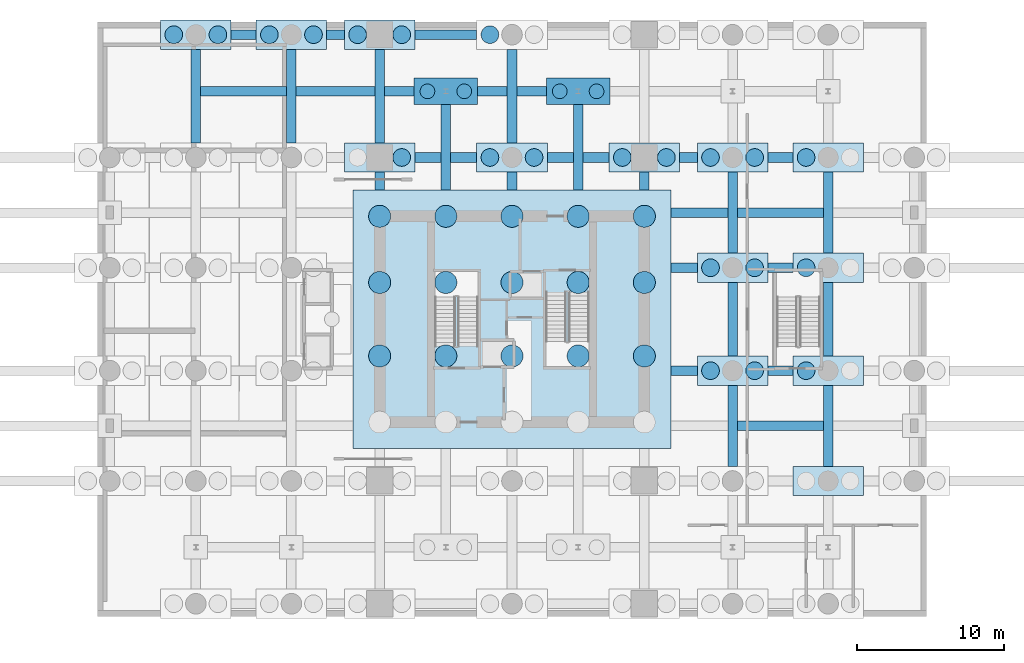
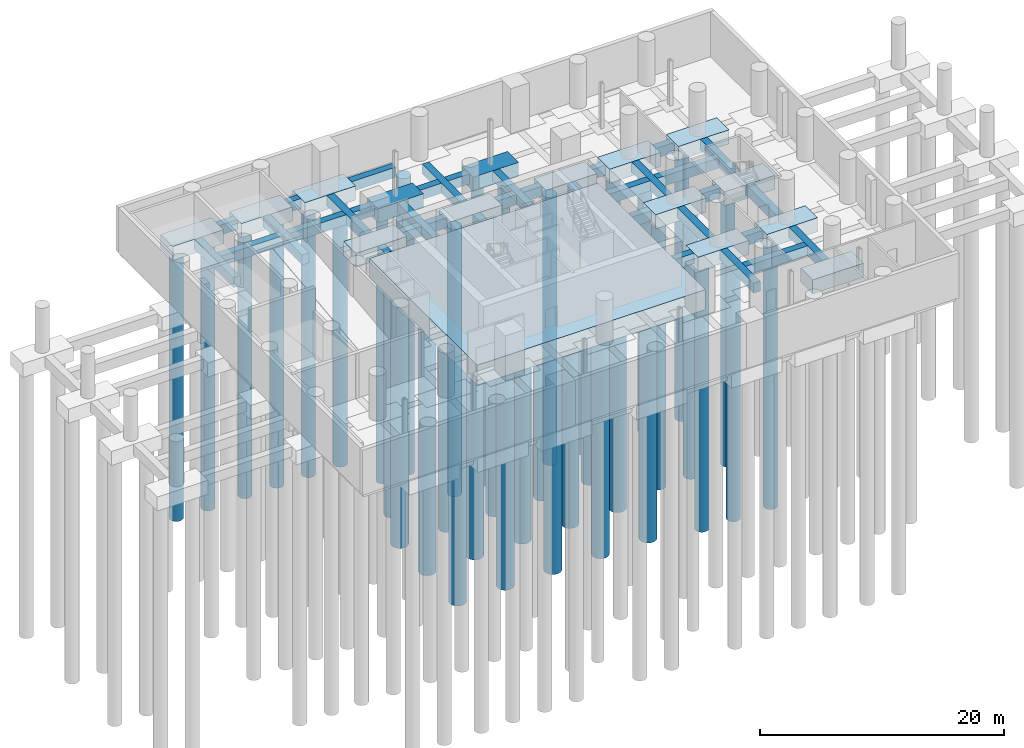
# One storey, part 3 of 12: 52 footings, 40 piles.
"""IFC4 building model written with IfcOpenShell, lengths in metres."""

from ifc_helpers import new_model, si_unit, direction, frame, origin, origin_2d, place, context, subcontext, project, spatial, polyline, circle, outline, extrude, material, layer, layer_set, material_profile, profile_set, type_object, element, save


model = new_model("IFC4")

# Units and contexts
model_context = context("Model", 3, precision=1e-05, world=origin(), true_north=direction((0.0, 1.0)))
body_context = subcontext(model_context, "Body", "Model", "MODEL_VIEW")
ifc_project = project(units=[si_unit("LENGTHUNIT", "METRE"), si_unit("AREAUNIT", "SQUARE_METRE"), si_unit("VOLUMEUNIT", "CUBIC_METRE"), si_unit("PLANEANGLEUNIT", "RADIAN"), si_unit("MASSUNIT", "GRAM", prefix="KILO")], contexts=[model_context])

# Site, building, storey
site_placement = place(None, origin())
site = spatial("IfcSite", under=ifc_project, at=site_placement, CompositionType="ELEMENT")
building_placement = place(site_placement, origin())
building = spatial("IfcBuilding", under=site, at=building_placement, Name="Veldorim Arch Residences", CompositionType="ELEMENT")
storey_placement = place(building_placement, frame((0.0, 0.0, -9.0)))
storey = spatial("IfcBuildingStorey", under=building, at=storey_placement, Name="B2", CompositionType="ELEMENT", Elevation=-9.0)

# Piles
ifc_material_1 = material(Name="Concrete C50/60", Category="concrete")
ifc_material_profile_1 = material_profile(ifc_material_1, circle(Radius=0.5, at=origin_2d()), Name="PILE_1000")
ifc_profile_set_1 = profile_set([ifc_material_profile_1], Name="Concrete C50/60")
pile_type_1 = type_object("IfcPileType", Name="Bored Rock-Socketed Pile 1000", PredefinedType="BORED", material=ifc_profile_set_1)
for number, where, z_axis, x_axis, name in (
    (1, (26.25, 39.5, -1.25), (0.0, 0.0, -1.0), (1.0, 0.0, 0.0), "Infill cap 03 bored pile W"),
    (2, (28.75, 39.5, -1.25), (0.0, 0.0, -1.0), (1.0, 0.0, 0.0), "Infill cap 03 bored pile E"),
    (3, (35.25, 39.5, -1.25), (0.0, 0.0, -1.0), (1.0, 0.0, 0.0), "Infill cap 04 bored pile W"),
    (4, (37.75, 39.5, -1.25), (0.0, 0.0, -1.0), (1.0, 0.0, 0.0), "Infill cap 04 bored pile E"),
):
    element("IfcPile", number, at=place(storey_placement, frame(where, z_axis=z_axis, x_axis=x_axis)), inside=storey, type_object=pile_type_1, Name=name, PredefinedType="BORED", context=body_context, shape_type="SweptSolid", body=[
        extrude(circle(Radius=0.5, at=origin_2d()), origin(), (0.0, 0.0, 1.0), 26.75),
    ])
ifc_material_2 = material(Name="Concrete C50/60", Category="concrete")
ifc_material_profile_2 = material_profile(ifc_material_2, circle(Radius=0.60009765625, at=origin_2d()), Name="PILE_1200")
ifc_profile_set_2 = profile_set([ifc_material_profile_2], Name="Concrete C50/60")
pile_type_2 = type_object("IfcPileType", Name="Bored Rock-Socketed Pile 1200", PredefinedType="BORED", material=ifc_profile_set_2)
for number, where, z_axis, x_axis, name in (
    (5, (9.0, 43.35009765625, -1.25), (0.0, 0.0, -1.0), (1.0, 0.0, 0.0), "Cap 10 bored pile W"),
    (6, (12.0, 43.35009765625, -1.25), (0.0, 0.0, -1.0), (1.0, 0.0, 0.0), "Cap 10 bored pile E"),
    (7, (15.5, 43.35009765625, -1.25), (0.0, 0.0, -1.0), (1.0, 0.0, 0.0), "Cap 16 bored pile W"),
    (8, (18.5, 43.35009765625, -1.25), (0.0, 0.0, -1.0), (1.0, 0.0, 0.0), "Cap 16 bored pile E"),
    (9, (45.5, 20.5, -1.25), (0.0, 0.0, -1.0), (1.0, 0.0, 0.0), "Cap 19 bored pile W"),
    (10, (48.5, 20.5, -1.25), (0.0, 0.0, -1.0), (1.0, 0.0, 0.0), "Cap 19 bored pile E"),
    (11, (45.5, 27.5, -1.25), (0.0, 0.0, -1.0), (1.0, 0.0, 0.0), "Cap 20 bored pile W"),
    (12, (48.5, 27.5, -1.25), (0.0, 0.0, -1.0), (1.0, 0.0, 0.0), "Cap 20 bored pile E"),
    (13, (45.5, 35.0, -1.25), (0.0, 0.0, -1.0), (1.0, 0.0, 0.0), "Cap 21 bored pile W"),
    (14, (48.5, 35.0, -1.25), (0.0, 0.0, -1.0), (1.0, 0.0, 0.0), "Cap 21 bored pile E"),
    (15, (52.0, 20.5, -1.25), (0.0, 0.0, -1.0), (1.0, 0.0, 0.0), "Cap 25 bored pile W"),
    (16, (52.0, 27.5, -1.25), (0.0, 0.0, -1.0), (1.0, 0.0, 0.0), "Cap 26 bored pile W"),
    (17, (52.0, 35.0, -1.25), (0.0, 0.0, -1.0), (1.0, 0.0, 0.0), "Cap 27 bored pile W"),
    (18, (24.5, 35.0, -1.25), (0.0, 0.0, -1.0), (1.0, 0.0, 0.0), "Cap 35 bored pile E"),
    (19, (21.5, 43.35009765625, -1.25), (0.0, 0.0, -1.0), (1.0, 0.0, 0.0), "Cap 36 bored pile W"),
    (20, (24.5, 43.35009765625, -1.25), (0.0, 0.0, -1.0), (1.0, 0.0, 0.0), "Cap 36 bored pile E"),
    (21, (30.5, 35.0, -1.25), (0.0, 0.0, -1.0), (1.0, 0.0, 0.0), "Cap 39 bored pile W"),
    (22, (33.5, 35.0, -1.25), (0.0, 0.0, -1.0), (1.0, 0.0, 0.0), "Cap 39 bored pile E"),
    (23, (30.5, 43.35009765625, -1.25), (0.0, 0.0, -1.0), (1.0, 0.0, 0.0), "Cap 40 bored pile W"),
    (24, (39.5, 35.0, -1.25), (0.0, 0.0, -1.0), (1.0, 0.0, 0.0), "Cap 43 bored pile W"),
    (25, (42.5, 35.0, -1.25), (0.0, 0.0, -1.0), (1.0, 0.0, 0.0), "Cap 43 bored pile E"),
):
    element("IfcPile", number, at=place(storey_placement, frame(where, z_axis=z_axis, x_axis=x_axis)), inside=storey, type_object=pile_type_2, Name=name, PredefinedType="BORED", context=body_context, shape_type="SweptSolid", body=[
        extrude(circle(Radius=0.60009765625, at=origin_2d()), origin(), (0.0, 0.0, 1.0), 26.75),
    ])
ifc_material_3 = material(Name="Concrete C50/60", Category="concrete")
ifc_material_profile_3 = material_profile(ifc_material_3, circle(Radius=0.75, at=origin_2d()), Name="PILE_1500")
ifc_profile_set_3 = profile_set([ifc_material_profile_3], Name="Concrete C50/60")
pile_type_3 = type_object("IfcPileType", Name="Bored Rock-Socketed Pile 1500", PredefinedType="BORED", material=ifc_profile_set_3)
for number, where, z_axis, x_axis, name in (
    (26, (23.0, 21.5, -1.85009765625), (0.0, 0.0, -1.0), (1.0, 0.0, 0.0), "Core raft bored pile 02"),
    (27, (23.0, 26.5, -1.85009765625), (0.0, 0.0, -1.0), (1.0, 0.0, 0.0), "Core raft bored pile 03"),
    (28, (23.0, 31.0, -1.85009765625), (0.0, 0.0, -1.0), (1.0, 0.0, 0.0), "Core raft bored pile 04"),
    (29, (27.5, 21.5, -1.85009765625), (0.0, 0.0, -1.0), (1.0, 0.0, 0.0), "Core raft bored pile 06"),
    (30, (27.5, 26.5, -1.85009765625), (0.0, 0.0, -1.0), (1.0, 0.0, 0.0), "Core raft bored pile 07"),
    (31, (27.5, 31.0, -1.85009765625), (0.0, 0.0, -1.0), (1.0, 0.0, 0.0), "Core raft bored pile 08"),
    (32, (32.0, 21.5, -1.85009765625), (0.0, 0.0, -1.0), (1.0, 0.0, 0.0), "Core raft bored pile 10"),
    (33, (32.0, 26.5, -1.85009765625), (0.0, 0.0, -1.0), (1.0, 0.0, 0.0), "Core raft bored pile 11"),
    (34, (32.0, 31.0, -1.85009765625), (0.0, 0.0, -1.0), (1.0, 0.0, 0.0), "Core raft bored pile 12"),
    (35, (36.5, 21.5, -1.85009765625), (0.0, 0.0, -1.0), (1.0, 0.0, 0.0), "Core raft bored pile 14"),
    (36, (36.5, 26.5, -1.85009765625), (0.0, 0.0, -1.0), (1.0, 0.0, 0.0), "Core raft bored pile 15"),
    (37, (36.5, 31.0, -1.85009765625), (0.0, 0.0, -1.0), (1.0, 0.0, 0.0), "Core raft bored pile 16"),
    (38, (41.0, 21.5, -1.85009765625), (0.0, 0.0, -1.0), (1.0, 0.0, 0.0), "Core raft bored pile 18"),
    (39, (41.0, 26.5, -1.85009765625), (0.0, 0.0, -1.0), (1.0, 0.0, 0.0), "Core raft bored pile 19"),
    (40, (41.0, 31.0, -1.85009765625), (0.0, 0.0, -1.0), (1.0, 0.0, 0.0), "Core raft bored pile 20"),
):
    element("IfcPile", number, at=place(storey_placement, frame(where, z_axis=z_axis, x_axis=x_axis)), inside=storey, type_object=pile_type_3, Name=name, PredefinedType="BORED", context=body_context, shape_type="SweptSolid", body=[
        extrude(circle(Radius=0.75, at=origin_2d()), origin(), (0.0, 0.0, 1.0), 26.14990234375),
    ])

# Footings
ifc_material_4 = material(Name="Concrete C50/60", Category="concrete")
ifc_layer_1 = layer(ifc_material_4, 1.0, Name="Continuous Ground Tie Beam 650x1000")
ifc_layer_set_1 = layer_set([ifc_layer_1], Name="Concrete C50/60")
footing_type_1 = type_object("IfcFootingType", Name="Continuous Ground Tie Beam 650x1000", PredefinedType="FOOTING_BEAM", material=ifc_layer_set_1)
footing_1_placement = place(storey_placement, frame((0.0, 0.0, -1.0)))
element("IfcFooting", 41, at=footing_1_placement, inside=storey, type_object=footing_type_1, Name="North-south ground tie beam 014", PredefinedType="FOOTING_BEAM", context=body_context, shape_type="SweptSolid", body=[
    extrude(outline(polyline([(10.175048828125, 36.0), (10.824951171875, 36.0), (10.824951171875, 42.35009765625), (10.175048828125, 42.35009765625), (10.175048828125, 36.0)])), origin(), (0.0, 0.0, 1.0), 1.0),
])
footing_2_placement = place(storey_placement, frame((0.0, 0.0, -1.0)))
element("IfcFooting", 42, at=footing_2_placement, inside=storey, type_object=footing_type_1, Name="North-south ground tie beam 020", PredefinedType="FOOTING_BEAM", context=body_context, shape_type="SweptSolid", body=[
    extrude(outline(polyline([(16.675048828125, 36.0), (17.324951171875, 36.0), (17.324951171875, 42.35009765625), (16.675048828125, 42.35009765625), (16.675048828125, 36.0)])), origin(), (0.0, 0.0, 1.0), 1.0),
])
footing_3_placement = place(storey_placement, frame((0.0, 0.0, -1.0)))
element("IfcFooting", 43, at=footing_3_placement, inside=storey, type_object=footing_type_1, Name="North-south ground tie beam 023", PredefinedType="FOOTING_BEAM", context=body_context, shape_type="SweptSolid", body=[
    extrude(outline(polyline([(22.675048828125, 32.800048828125), (23.324951171875, 32.800048828125), (23.324951171875, 34.0), (22.675048828125, 34.0), (22.675048828125, 32.800048828125)])), origin(), (0.0, 0.0, 1.0), 1.0),
])
footing_4_placement = place(storey_placement, frame((0.0, 0.0, -1.0)))
element("IfcFooting", 44, at=footing_4_placement, inside=storey, type_object=footing_type_1, Name="North-south ground tie beam 024", PredefinedType="FOOTING_BEAM", context=body_context, shape_type="SweptSolid", body=[
    extrude(outline(polyline([(22.675048828125, 36.0), (23.324951171875, 36.0), (23.324951171875, 42.35009765625), (22.675048828125, 42.35009765625), (22.675048828125, 36.0)])), origin(), (0.0, 0.0, 1.0), 1.0),
])
footing_5_placement = place(storey_placement, frame((0.0, 0.0, -1.0)))
element("IfcFooting", 45, at=footing_5_placement, inside=storey, type_object=footing_type_1, Name="North-south ground tie beam 026", PredefinedType="FOOTING_BEAM", context=body_context, shape_type="SweptSolid", body=[
    extrude(outline(polyline([(27.175048828125, 32.800048828125), (27.824951171875, 32.800048828125), (27.824951171875, 38.60009765625), (27.175048828125, 38.60009765625), (27.175048828125, 32.800048828125)])), origin(), (0.0, 0.0, 1.0), 1.0),
])
footing_6_placement = place(storey_placement, frame((0.0, 0.0, -1.0)))
element("IfcFooting", 46, at=footing_6_placement, inside=storey, type_object=footing_type_1, Name="North-south ground tie beam 029", PredefinedType="FOOTING_BEAM", context=body_context, shape_type="SweptSolid", body=[
    extrude(outline(polyline([(31.675048828125, 32.800048828125), (32.324951171875, 32.800048828125), (32.324951171875, 34.0), (31.675048828125, 34.0), (31.675048828125, 32.800048828125)])), origin(), (0.0, 0.0, 1.0), 1.0),
])
footing_7_placement = place(storey_placement, frame((0.0, 0.0, -1.0)))
element("IfcFooting", 47, at=footing_7_placement, inside=storey, type_object=footing_type_1, Name="North-south ground tie beam 030", PredefinedType="FOOTING_BEAM", context=body_context, shape_type="SweptSolid", body=[
    extrude(outline(polyline([(31.675048828125, 36.0), (32.324951171875, 36.0), (32.324951171875, 42.35009765625), (31.675048828125, 42.35009765625), (31.675048828125, 36.0)])), origin(), (0.0, 0.0, 1.0), 1.0),
])
footing_8_placement = place(storey_placement, frame((0.0, 0.0, -1.0)))
element("IfcFooting", 48, at=footing_8_placement, inside=storey, type_object=footing_type_1, Name="North-south ground tie beam 032", PredefinedType="FOOTING_BEAM", context=body_context, shape_type="SweptSolid", body=[
    extrude(outline(polyline([(36.175048828125, 32.800048828125), (36.824951171875, 32.800048828125), (36.824951171875, 38.60009765625), (36.175048828125, 38.60009765625), (36.175048828125, 32.800048828125)])), origin(), (0.0, 0.0, 1.0), 1.0),
])
footing_9_placement = place(storey_placement, frame((0.0, 0.0, -1.0)))
element("IfcFooting", 49, at=footing_9_placement, inside=storey, type_object=footing_type_1, Name="North-south ground tie beam 035", PredefinedType="FOOTING_BEAM", context=body_context, shape_type="SweptSolid", body=[
    extrude(outline(polyline([(40.675048828125, 32.800048828125), (41.324951171875, 32.800048828125), (41.324951171875, 34.0), (40.675048828125, 34.0), (40.675048828125, 32.800048828125)])), origin(), (0.0, 0.0, 1.0), 1.0),
])
footing_10_placement = place(storey_placement, frame((0.0, 0.0, -1.0)))
element("IfcFooting", 50, at=footing_10_placement, inside=storey, type_object=footing_type_1, Name="North-south ground tie beam 039", PredefinedType="FOOTING_BEAM", context=body_context, shape_type="SweptSolid", body=[
    extrude(outline(polyline([(46.675048828125, 14.0), (47.324951171875, 14.0), (47.324951171875, 19.5), (46.675048828125, 19.5), (46.675048828125, 14.0)])), origin(), (0.0, 0.0, 1.0), 1.0),
])
footing_11_placement = place(storey_placement, frame((0.0, 0.0, -1.0)))
element("IfcFooting", 51, at=footing_11_placement, inside=storey, type_object=footing_type_1, Name="North-south ground tie beam 040", PredefinedType="FOOTING_BEAM", context=body_context, shape_type="SweptSolid", body=[
    extrude(outline(polyline([(46.675048828125, 21.5), (47.324951171875, 21.5), (47.324951171875, 26.5), (46.675048828125, 26.5), (46.675048828125, 21.5)])), origin(), (0.0, 0.0, 1.0), 1.0),
])
footing_12_placement = place(storey_placement, frame((0.0, 0.0, -1.0)))
element("IfcFooting", 52, at=footing_12_placement, inside=storey, type_object=footing_type_1, Name="North-south ground tie beam 041", PredefinedType="FOOTING_BEAM", context=body_context, shape_type="SweptSolid", body=[
    extrude(outline(polyline([(46.675048828125, 28.5), (47.324951171875, 28.5), (47.324951171875, 34.0), (46.675048828125, 34.0), (46.675048828125, 28.5)])), origin(), (0.0, 0.0, 1.0), 1.0),
])
footing_13_placement = place(storey_placement, frame((0.0, 0.0, -1.0)))
element("IfcFooting", 53, at=footing_13_placement, inside=storey, type_object=footing_type_1, Name="North-south ground tie beam 046", PredefinedType="FOOTING_BEAM", context=body_context, shape_type="SweptSolid", body=[
    extrude(outline(polyline([(53.175048828125, 14.0), (53.824951171875, 14.0), (53.824951171875, 19.5), (53.175048828125, 19.5), (53.175048828125, 14.0)])), origin(), (0.0, 0.0, 1.0), 1.0),
])
footing_14_placement = place(storey_placement, frame((0.0, 0.0, -1.0)))
element("IfcFooting", 54, at=footing_14_placement, inside=storey, type_object=footing_type_1, Name="North-south ground tie beam 047", PredefinedType="FOOTING_BEAM", context=body_context, shape_type="SweptSolid", body=[
    extrude(outline(polyline([(53.175048828125, 21.5), (53.824951171875, 21.5), (53.824951171875, 26.5), (53.175048828125, 26.5), (53.175048828125, 21.5)])), origin(), (0.0, 0.0, 1.0), 1.0),
])
footing_15_placement = place(storey_placement, frame((0.0, 0.0, -1.0)))
element("IfcFooting", 55, at=footing_15_placement, inside=storey, type_object=footing_type_1, Name="North-south ground tie beam 048", PredefinedType="FOOTING_BEAM", context=body_context, shape_type="SweptSolid", body=[
    extrude(outline(polyline([(53.175048828125, 28.5), (53.824951171875, 28.5), (53.824951171875, 34.0), (53.175048828125, 34.0), (53.175048828125, 28.5)])), origin(), (0.0, 0.0, 1.0), 1.0),
])
footing_16_placement = place(storey_placement, frame((0.0, 0.0, -1.0)))
element("IfcFooting", 56, at=footing_16_placement, inside=storey, type_object=footing_type_1, Name="East-west ground tie beam 090", PredefinedType="FOOTING_BEAM", context=body_context, shape_type="SweptSolid", body=[
    extrude(outline(polyline([(47.324951171875, 16.425048828125), (53.175048828125, 16.425048828125), (53.175048828125, 17.074951171875), (47.324951171875, 17.074951171875), (47.324951171875, 16.425048828125)])), origin(), (0.0, 0.0, 1.0), 1.0),
])
footing_17_placement = place(storey_placement, frame((0.0, 0.0, -1.0)))
element("IfcFooting", 57, at=footing_17_placement, inside=storey, type_object=footing_type_1, Name="East-west ground tie beam 097", PredefinedType="FOOTING_BEAM", context=body_context, shape_type="SweptSolid", body=[
    extrude(outline(polyline([(42.800048828125, 20.175048828125), (44.60009765625, 20.175048828125), (44.60009765625, 20.824951171875), (42.800048828125, 20.824951171875), (42.800048828125, 20.175048828125)])), origin(), (0.0, 0.0, 1.0), 1.0),
])
footing_18_placement = place(storey_placement, frame((0.0, 0.0, -1.0)))
element("IfcFooting", 58, at=footing_18_placement, inside=storey, type_object=footing_type_1, Name="East-west ground tie beam 098", PredefinedType="FOOTING_BEAM", context=body_context, shape_type="SweptSolid", body=[
    extrude(outline(polyline([(49.39990234375, 20.175048828125), (51.10009765625, 20.175048828125), (51.10009765625, 20.824951171875), (49.39990234375, 20.824951171875), (49.39990234375, 20.175048828125)])), origin(), (0.0, 0.0, 1.0), 1.0),
])
footing_19_placement = place(storey_placement, frame((0.0, 0.0, -1.0)))
element("IfcFooting", 59, at=footing_19_placement, inside=storey, type_object=footing_type_1, Name="East-west ground tie beam 105", PredefinedType="FOOTING_BEAM", context=body_context, shape_type="SweptSolid", body=[
    extrude(outline(polyline([(42.800048828125, 27.175048828125), (44.60009765625, 27.175048828125), (44.60009765625, 27.824951171875), (42.800048828125, 27.824951171875), (42.800048828125, 27.175048828125)])), origin(), (0.0, 0.0, 1.0), 1.0),
])
footing_20_placement = place(storey_placement, frame((0.0, 0.0, -1.0)))
element("IfcFooting", 60, at=footing_20_placement, inside=storey, type_object=footing_type_1, Name="East-west ground tie beam 106", PredefinedType="FOOTING_BEAM", context=body_context, shape_type="SweptSolid", body=[
    extrude(outline(polyline([(49.39990234375, 27.175048828125), (51.10009765625, 27.175048828125), (51.10009765625, 27.824951171875), (49.39990234375, 27.824951171875), (49.39990234375, 27.175048828125)])), origin(), (0.0, 0.0, 1.0), 1.0),
])
footing_21_placement = place(storey_placement, frame((0.0, 0.0, -1.0)))
element("IfcFooting", 61, at=footing_21_placement, inside=storey, type_object=footing_type_1, Name="East-west ground tie beam 113", PredefinedType="FOOTING_BEAM", context=body_context, shape_type="SweptSolid", body=[
    extrude(outline(polyline([(42.800048828125, 30.925048828125), (46.675048828125, 30.925048828125), (46.675048828125, 31.574951171875), (42.800048828125, 31.574951171875), (42.800048828125, 30.925048828125)])), origin(), (0.0, 0.0, 1.0), 1.0),
])
footing_22_placement = place(storey_placement, frame((0.0, 0.0, -1.0)))
element("IfcFooting", 62, at=footing_22_placement, inside=storey, type_object=footing_type_1, Name="East-west ground tie beam 114", PredefinedType="FOOTING_BEAM", context=body_context, shape_type="SweptSolid", body=[
    extrude(outline(polyline([(47.324951171875, 30.925048828125), (53.175048828125, 30.925048828125), (53.175048828125, 31.574951171875), (47.324951171875, 31.574951171875), (47.324951171875, 30.925048828125)])), origin(), (0.0, 0.0, 1.0), 1.0),
])
footing_23_placement = place(storey_placement, frame((0.0, 0.0, -1.0)))
element("IfcFooting", 63, at=footing_23_placement, inside=storey, type_object=footing_type_1, Name="East-west ground tie beam 121", PredefinedType="FOOTING_BEAM", context=body_context, shape_type="SweptSolid", body=[
    extrude(outline(polyline([(25.39990234375, 34.675048828125), (27.175048828125, 34.675048828125), (27.175048828125, 35.324951171875), (25.39990234375, 35.324951171875), (25.39990234375, 34.675048828125)])), origin(), (0.0, 0.0, 1.0), 1.0),
])
footing_24_placement = place(storey_placement, frame((0.0, 0.0, -1.0)))
element("IfcFooting", 64, at=footing_24_placement, inside=storey, type_object=footing_type_1, Name="East-west ground tie beam 122", PredefinedType="FOOTING_BEAM", context=body_context, shape_type="SweptSolid", body=[
    extrude(outline(polyline([(27.824951171875, 34.675048828125), (29.60009765625, 34.675048828125), (29.60009765625, 35.324951171875), (27.824951171875, 35.324951171875), (27.824951171875, 34.675048828125)])), origin(), (0.0, 0.0, 1.0), 1.0),
])
footing_25_placement = place(storey_placement, frame((0.0, 0.0, -1.0)))
element("IfcFooting", 65, at=footing_25_placement, inside=storey, type_object=footing_type_1, Name="East-west ground tie beam 123", PredefinedType="FOOTING_BEAM", context=body_context, shape_type="SweptSolid", body=[
    extrude(outline(polyline([(34.39990234375, 34.675048828125), (36.175048828125, 34.675048828125), (36.175048828125, 35.324951171875), (34.39990234375, 35.324951171875), (34.39990234375, 34.675048828125)])), origin(), (0.0, 0.0, 1.0), 1.0),
])
footing_26_placement = place(storey_placement, frame((0.0, 0.0, -1.0)))
element("IfcFooting", 66, at=footing_26_placement, inside=storey, type_object=footing_type_1, Name="East-west ground tie beam 124", PredefinedType="FOOTING_BEAM", context=body_context, shape_type="SweptSolid", body=[
    extrude(outline(polyline([(36.824951171875, 34.675048828125), (38.60009765625, 34.675048828125), (38.60009765625, 35.324951171875), (36.824951171875, 35.324951171875), (36.824951171875, 34.675048828125)])), origin(), (0.0, 0.0, 1.0), 1.0),
])
footing_27_placement = place(storey_placement, frame((0.0, 0.0, -1.0)))
element("IfcFooting", 67, at=footing_27_placement, inside=storey, type_object=footing_type_1, Name="East-west ground tie beam 125", PredefinedType="FOOTING_BEAM", context=body_context, shape_type="SweptSolid", body=[
    extrude(outline(polyline([(43.39990234375, 34.675048828125), (44.60009765625, 34.675048828125), (44.60009765625, 35.324951171875), (43.39990234375, 35.324951171875), (43.39990234375, 34.675048828125)])), origin(), (0.0, 0.0, 1.0), 1.0),
])
footing_28_placement = place(storey_placement, frame((0.0, 0.0, -1.0)))
element("IfcFooting", 68, at=footing_28_placement, inside=storey, type_object=footing_type_1, Name="East-west ground tie beam 126", PredefinedType="FOOTING_BEAM", context=body_context, shape_type="SweptSolid", body=[
    extrude(outline(polyline([(49.39990234375, 34.675048828125), (51.10009765625, 34.675048828125), (51.10009765625, 35.324951171875), (49.39990234375, 35.324951171875), (49.39990234375, 34.675048828125)])), origin(), (0.0, 0.0, 1.0), 1.0),
])
footing_29_placement = place(storey_placement, frame((0.0, 0.0, -1.0)))
element("IfcFooting", 69, at=footing_29_placement, inside=storey, type_object=footing_type_1, Name="East-west ground tie beam 129", PredefinedType="FOOTING_BEAM", context=body_context, shape_type="SweptSolid", body=[
    extrude(outline(polyline([(10.824951171875, 39.175048828125), (16.675048828125, 39.175048828125), (16.675048828125, 39.824951171875), (10.824951171875, 39.824951171875), (10.824951171875, 39.175048828125)])), origin(), (0.0, 0.0, 1.0), 1.0),
])
footing_30_placement = place(storey_placement, frame((0.0, 0.0, -1.0)))
element("IfcFooting", 70, at=footing_30_placement, inside=storey, type_object=footing_type_1, Name="East-west ground tie beam 130", PredefinedType="FOOTING_BEAM", context=body_context, shape_type="SweptSolid", body=[
    extrude(outline(polyline([(17.324951171875, 39.175048828125), (22.675048828125, 39.175048828125), (22.675048828125, 39.824951171875), (17.324951171875, 39.824951171875), (17.324951171875, 39.175048828125)])), origin(), (0.0, 0.0, 1.0), 1.0),
])
footing_31_placement = place(storey_placement, frame((0.0, 0.0, -1.0)))
element("IfcFooting", 71, at=footing_31_placement, inside=storey, type_object=footing_type_1, Name="East-west ground tie beam 131", PredefinedType="FOOTING_BEAM", context=body_context, shape_type="SweptSolid", body=[
    extrude(outline(polyline([(23.324951171875, 39.175048828125), (25.35009765625, 39.175048828125), (25.35009765625, 39.824951171875), (23.324951171875, 39.824951171875), (23.324951171875, 39.175048828125)])), origin(), (0.0, 0.0, 1.0), 1.0),
])
footing_32_placement = place(storey_placement, frame((0.0, 0.0, -1.0)))
element("IfcFooting", 72, at=footing_32_placement, inside=storey, type_object=footing_type_1, Name="East-west ground tie beam 132", PredefinedType="FOOTING_BEAM", context=body_context, shape_type="SweptSolid", body=[
    extrude(outline(polyline([(29.64990234375, 39.175048828125), (31.675048828125, 39.175048828125), (31.675048828125, 39.824951171875), (29.64990234375, 39.824951171875), (29.64990234375, 39.175048828125)])), origin(), (0.0, 0.0, 1.0), 1.0),
])
footing_33_placement = place(storey_placement, frame((0.0, 0.0, -1.0)))
element("IfcFooting", 73, at=footing_33_placement, inside=storey, type_object=footing_type_1, Name="East-west ground tie beam 133", PredefinedType="FOOTING_BEAM", context=body_context, shape_type="SweptSolid", body=[
    extrude(outline(polyline([(32.324951171875, 39.175048828125), (34.35009765625, 39.175048828125), (34.35009765625, 39.824951171875), (32.324951171875, 39.824951171875), (32.324951171875, 39.175048828125)])), origin(), (0.0, 0.0, 1.0), 1.0),
])
footing_34_placement = place(storey_placement, frame((0.0, 0.0, -1.0)))
element("IfcFooting", 74, at=footing_34_placement, inside=storey, type_object=footing_type_1, Name="East-west ground tie beam 137", PredefinedType="FOOTING_BEAM", context=body_context, shape_type="SweptSolid", body=[
    extrude(outline(polyline([(12.89990234375, 43.02490234375), (14.60009765625, 43.02490234375), (14.60009765625, 43.675048828125), (12.89990234375, 43.675048828125), (12.89990234375, 43.02490234375)])), origin(), (0.0, 0.0, 1.0), 1.0),
])
footing_35_placement = place(storey_placement, frame((0.0, 0.0, -1.0)))
element("IfcFooting", 75, at=footing_35_placement, inside=storey, type_object=footing_type_1, Name="East-west ground tie beam 138", PredefinedType="FOOTING_BEAM", context=body_context, shape_type="SweptSolid", body=[
    extrude(outline(polyline([(19.39990234375, 43.02490234375), (20.60009765625, 43.02490234375), (20.60009765625, 43.675048828125), (19.39990234375, 43.675048828125), (19.39990234375, 43.02490234375)])), origin(), (0.0, 0.0, 1.0), 1.0),
])
footing_36_placement = place(storey_placement, frame((0.0, 0.0, -1.0)))
element("IfcFooting", 76, at=footing_36_placement, inside=storey, type_object=footing_type_1, Name="East-west ground tie beam 139", PredefinedType="FOOTING_BEAM", context=body_context, shape_type="SweptSolid", body=[
    extrude(outline(polyline([(25.39990234375, 43.02490234375), (29.60009765625, 43.02490234375), (29.60009765625, 43.675048828125), (25.39990234375, 43.675048828125), (25.39990234375, 43.02490234375)])), origin(), (0.0, 0.0, 1.0), 1.0),
])
ifc_material_5 = material(Name="Concrete C50/60", Category="concrete")
ifc_layer_2 = layer(ifc_material_5, 2.0, Name="Core Piled Raft 2000")
ifc_layer_set_2 = layer_set([ifc_layer_2], Name="Concrete C50/60")
footing_type_2 = type_object("IfcFootingType", Name="Core Piled Raft 2000", PredefinedType="PILE_CAP", material=ifc_layer_set_2)
footing_37_placement = place(storey_placement, frame((0.0, 0.0, -2.0)))
element("IfcFooting", 77, at=footing_37_placement, inside=storey, type_object=footing_type_2, Name="Central Core Piled Raft", PredefinedType="PILE_CAP", context=body_context, shape_type="SweptSolid", body=[
    extrude(outline(polyline([(21.199951171875, 15.199951171875), (42.800048828125, 15.199951171875), (42.800048828125, 32.800048828125), (21.199951171875, 32.800048828125), (21.199951171875, 15.199951171875)])), origin(), (0.0, 0.0, 1.0), 2.0),
])
ifc_material_6 = material(Name="Concrete C50/60", Category="concrete")
ifc_layer_3 = layer(ifc_material_6, 1.39990234375, Name="Infill Two-Pile Cap 4300x1800x1400")
ifc_layer_set_3 = layer_set([ifc_layer_3], Name="Concrete C50/60")
footing_type_3 = type_object("IfcFootingType", Name="Infill Two-Pile Cap 4300x1800x1400", PredefinedType="PILE_CAP", material=ifc_layer_set_3)
footing_38_placement = place(storey_placement, frame((0.0, 0.0, -1.39990234375)))
element("IfcFooting", 78, at=footing_38_placement, inside=storey, type_object=footing_type_3, Name="Infill two-pile cap 03", PredefinedType="PILE_CAP", context=body_context, shape_type="SweptSolid", body=[
    extrude(outline(polyline([(25.35009765625, 38.60009765625), (29.64990234375, 38.60009765625), (29.64990234375, 40.39990234375), (25.35009765625, 40.39990234375), (25.35009765625, 38.60009765625)])), origin(), (0.0, 0.0, 1.0), 1.39990234375),
])
footing_39_placement = place(storey_placement, frame((0.0, 0.0, -1.39990234375)))
element("IfcFooting", 79, at=footing_39_placement, inside=storey, type_object=footing_type_3, Name="Infill two-pile cap 04", PredefinedType="PILE_CAP", context=body_context, shape_type="SweptSolid", body=[
    extrude(outline(polyline([(34.35009765625, 38.60009765625), (38.64990234375, 38.60009765625), (38.64990234375, 40.39990234375), (34.35009765625, 40.39990234375), (34.35009765625, 38.60009765625)])), origin(), (0.0, 0.0, 1.0), 1.39990234375),
])
ifc_material_7 = material(Name="Concrete C50/60", Category="concrete")
ifc_layer_4 = layer(ifc_material_7, 1.39990234375, Name="Perimeter Two-Pile Cap 4800x2000x1400")
ifc_layer_set_4 = layer_set([ifc_layer_4], Name="Concrete C50/60")
footing_type_4 = type_object("IfcFootingType", Name="Perimeter Two-Pile Cap 4800x2000x1400", PredefinedType="PILE_CAP", material=ifc_layer_set_4)
footing_40_placement = place(storey_placement, frame((0.0, 0.0, -1.39990234375)))
element("IfcFooting", 80, at=footing_40_placement, inside=storey, type_object=footing_type_4, Name="Perimeter two-pile cap 10", PredefinedType="PILE_CAP", context=body_context, shape_type="SweptSolid", body=[
    extrude(outline(polyline([(8.10009765625, 42.35009765625), (12.89990234375, 42.35009765625), (12.89990234375, 44.35009765625), (8.10009765625, 44.35009765625), (8.10009765625, 42.35009765625)])), origin(), (0.0, 0.0, 1.0), 1.39990234375),
])
footing_41_placement = place(storey_placement, frame((0.0, 0.0, -1.39990234375)))
element("IfcFooting", 81, at=footing_41_placement, inside=storey, type_object=footing_type_4, Name="Perimeter two-pile cap 16", PredefinedType="PILE_CAP", context=body_context, shape_type="SweptSolid", body=[
    extrude(outline(polyline([(14.60009765625, 42.35009765625), (19.39990234375, 42.35009765625), (19.39990234375, 44.35009765625), (14.60009765625, 44.35009765625), (14.60009765625, 42.35009765625)])), origin(), (0.0, 0.0, 1.0), 1.39990234375),
])
footing_42_placement = place(storey_placement, frame((0.0, 0.0, -1.39990234375)))
element("IfcFooting", 82, at=footing_42_placement, inside=storey, type_object=footing_type_4, Name="Perimeter two-pile cap 19", PredefinedType="PILE_CAP", context=body_context, shape_type="SweptSolid", body=[
    extrude(outline(polyline([(44.60009765625, 19.5), (49.39990234375, 19.5), (49.39990234375, 21.5), (44.60009765625, 21.5), (44.60009765625, 19.5)])), origin(), (0.0, 0.0, 1.0), 1.39990234375),
])
footing_43_placement = place(storey_placement, frame((0.0, 0.0, -1.39990234375)))
element("IfcFooting", 83, at=footing_43_placement, inside=storey, type_object=footing_type_4, Name="Perimeter two-pile cap 20", PredefinedType="PILE_CAP", context=body_context, shape_type="SweptSolid", body=[
    extrude(outline(polyline([(44.60009765625, 26.5), (49.39990234375, 26.5), (49.39990234375, 28.5), (44.60009765625, 28.5), (44.60009765625, 26.5)])), origin(), (0.0, 0.0, 1.0), 1.39990234375),
])
footing_44_placement = place(storey_placement, frame((0.0, 0.0, -1.39990234375)))
element("IfcFooting", 84, at=footing_44_placement, inside=storey, type_object=footing_type_4, Name="Perimeter two-pile cap 21", PredefinedType="PILE_CAP", context=body_context, shape_type="SweptSolid", body=[
    extrude(outline(polyline([(44.60009765625, 34.0), (49.39990234375, 34.0), (49.39990234375, 36.0), (44.60009765625, 36.0), (44.60009765625, 34.0)])), origin(), (0.0, 0.0, 1.0), 1.39990234375),
])
footing_45_placement = place(storey_placement, frame((0.0, 0.0, -1.39990234375)))
element("IfcFooting", 85, at=footing_45_placement, inside=storey, type_object=footing_type_4, Name="Perimeter two-pile cap 24", PredefinedType="PILE_CAP", context=body_context, shape_type="SweptSolid", body=[
    extrude(outline(polyline([(51.10009765625, 12.0), (55.89990234375, 12.0), (55.89990234375, 14.0), (51.10009765625, 14.0), (51.10009765625, 12.0)])), origin(), (0.0, 0.0, 1.0), 1.39990234375),
])
footing_46_placement = place(storey_placement, frame((0.0, 0.0, -1.39990234375)))
element("IfcFooting", 86, at=footing_46_placement, inside=storey, type_object=footing_type_4, Name="Perimeter two-pile cap 25", PredefinedType="PILE_CAP", context=body_context, shape_type="SweptSolid", body=[
    extrude(outline(polyline([(51.10009765625, 19.5), (55.89990234375, 19.5), (55.89990234375, 21.5), (51.10009765625, 21.5), (51.10009765625, 19.5)])), origin(), (0.0, 0.0, 1.0), 1.39990234375),
])
footing_47_placement = place(storey_placement, frame((0.0, 0.0, -1.39990234375)))
element("IfcFooting", 87, at=footing_47_placement, inside=storey, type_object=footing_type_4, Name="Perimeter two-pile cap 26", PredefinedType="PILE_CAP", context=body_context, shape_type="SweptSolid", body=[
    extrude(outline(polyline([(51.10009765625, 26.5), (55.89990234375, 26.5), (55.89990234375, 28.5), (51.10009765625, 28.5), (51.10009765625, 26.5)])), origin(), (0.0, 0.0, 1.0), 1.39990234375),
])
footing_48_placement = place(storey_placement, frame((0.0, 0.0, -1.39990234375)))
element("IfcFooting", 88, at=footing_48_placement, inside=storey, type_object=footing_type_4, Name="Perimeter two-pile cap 27", PredefinedType="PILE_CAP", context=body_context, shape_type="SweptSolid", body=[
    extrude(outline(polyline([(51.10009765625, 34.0), (55.89990234375, 34.0), (55.89990234375, 36.0), (51.10009765625, 36.0), (51.10009765625, 34.0)])), origin(), (0.0, 0.0, 1.0), 1.39990234375),
])
footing_49_placement = place(storey_placement, frame((0.0, 0.0, -1.39990234375)))
element("IfcFooting", 89, at=footing_49_placement, inside=storey, type_object=footing_type_4, Name="Perimeter two-pile cap 35", PredefinedType="PILE_CAP", context=body_context, shape_type="SweptSolid", body=[
    extrude(outline(polyline([(20.60009765625, 34.0), (25.39990234375, 34.0), (25.39990234375, 36.0), (20.60009765625, 36.0), (20.60009765625, 34.0)])), origin(), (0.0, 0.0, 1.0), 1.39990234375),
])
footing_50_placement = place(storey_placement, frame((0.0, 0.0, -1.39990234375)))
element("IfcFooting", 90, at=footing_50_placement, inside=storey, type_object=footing_type_4, Name="Perimeter two-pile cap 36", PredefinedType="PILE_CAP", context=body_context, shape_type="SweptSolid", body=[
    extrude(outline(polyline([(20.60009765625, 42.35009765625), (25.39990234375, 42.35009765625), (25.39990234375, 44.35009765625), (20.60009765625, 44.35009765625), (20.60009765625, 42.35009765625)])), origin(), (0.0, 0.0, 1.0), 1.39990234375),
])
footing_51_placement = place(storey_placement, frame((0.0, 0.0, -1.39990234375)))
element("IfcFooting", 91, at=footing_51_placement, inside=storey, type_object=footing_type_4, Name="Perimeter two-pile cap 39", PredefinedType="PILE_CAP", context=body_context, shape_type="SweptSolid", body=[
    extrude(outline(polyline([(29.60009765625, 34.0), (34.39990234375, 34.0), (34.39990234375, 36.0), (29.60009765625, 36.0), (29.60009765625, 34.0)])), origin(), (0.0, 0.0, 1.0), 1.39990234375),
])
footing_52_placement = place(storey_placement, frame((0.0, 0.0, -1.39990234375)))
element("IfcFooting", 92, at=footing_52_placement, inside=storey, type_object=footing_type_4, Name="Perimeter two-pile cap 43", PredefinedType="PILE_CAP", context=body_context, shape_type="SweptSolid", body=[
    extrude(outline(polyline([(38.60009765625, 34.0), (43.39990234375, 34.0), (43.39990234375, 36.0), (38.60009765625, 36.0), (38.60009765625, 34.0)])), origin(), (0.0, 0.0, 1.0), 1.39990234375),
])

save(model, "model.ifc")
